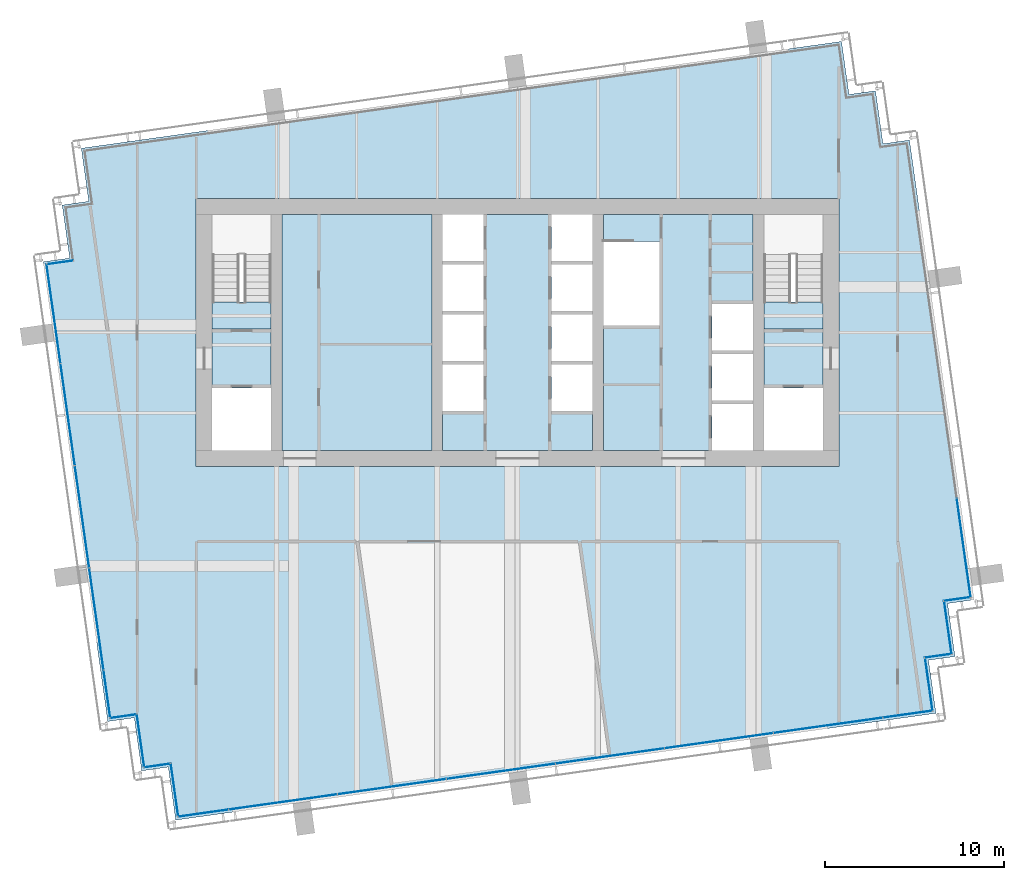
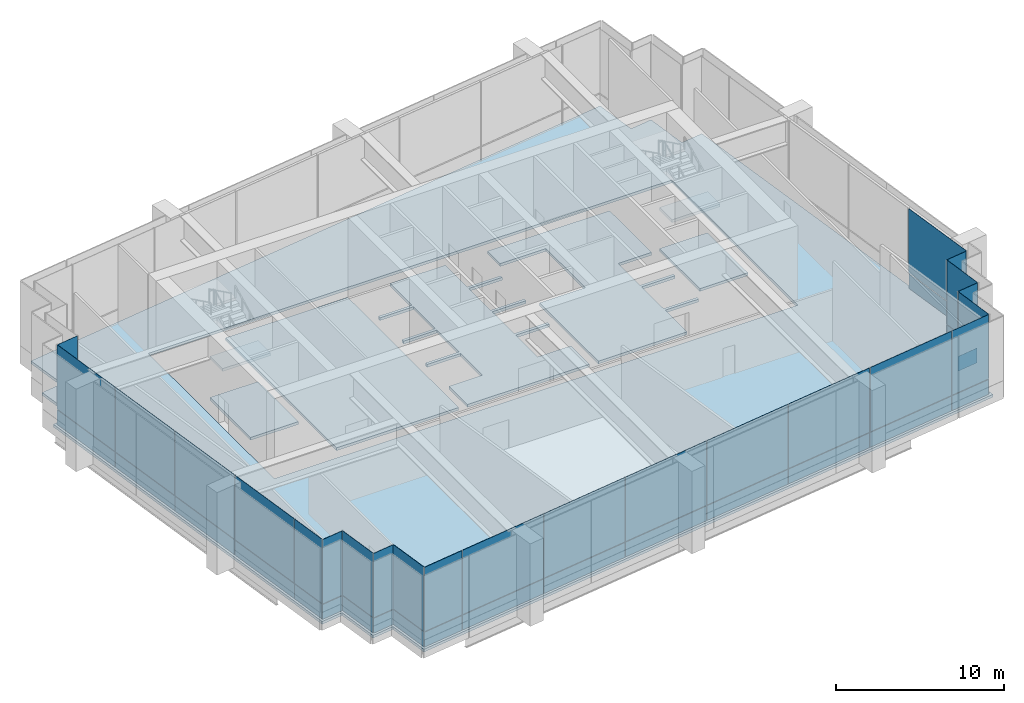
# One storey, part 17 of 25: 46 plates, 8 slabs, 16 elements without a shape of their own.
"""IFC4 building model written with IfcOpenShell, lengths in metres."""

from ifc_helpers import new_model, si_unit, direction, frame, origin, origin_2d, place, context, subcontext, project, spatial, polyline, rectangle, outline, extrude, material, layer, layer_set, type_object, element, aggregate, save


model = new_model("IFC4")

# Units and contexts
model_context = context("Model", 3, precision=1e-05, world=origin(), true_north=direction((0.0, 1.0)))
body_context = subcontext(model_context, "Body", "Model", "MODEL_VIEW")
ifc_project = project(units=[si_unit("LENGTHUNIT", "METRE"), si_unit("AREAUNIT", "SQUARE_METRE"), si_unit("VOLUMEUNIT", "CUBIC_METRE"), si_unit("PLANEANGLEUNIT", "RADIAN"), si_unit("MASSUNIT", "GRAM", prefix="KILO")], contexts=[model_context])

# Site, building, storey
site_placement = place(None, origin())
site = spatial("IfcSite", under=ifc_project, at=site_placement, CompositionType="ELEMENT")
building_placement = place(site_placement, origin())
building = spatial("IfcBuilding", under=site, at=building_placement, Name="Rattan Terrace Tower", CompositionType="ELEMENT")
storey_placement = place(building_placement, frame((0.0, 0.0, 286.300048828125)))
storey = spatial("IfcBuildingStorey", under=building, at=storey_placement, Name="L66", CompositionType="ELEMENT", Elevation=286.300048828125)

# Stair, slab
ifc_material_1 = material(Name="Concrete C40/50", Category="concrete")
stair_type = type_object("IfcStairType", Name="Core exit stair 1500", PredefinedType="HALF_TURN_STAIR", material=ifc_material_1)
stair_1_placement = place(storey_placement, origin())
stair_1 = element("IfcStair", 1, at=stair_1_placement, inside=storey, type_object=stair_type, Name="L66 exit stair 1", PredefinedType="HALF_TURN_STAIR")
ifc_material_2 = material(Name="Concrete C40/50", Category="concrete")
ifc_layer_1 = layer(ifc_material_2, 0.199951171875)
ifc_layer_set_1 = layer_set([ifc_layer_1], Name="Core exit stair landing")
slab_type_1 = type_object("IfcSlabType", Name="Core exit stair landing", PredefinedType="LANDING", material=ifc_layer_set_1)
slab_1_placement = place(storey_placement, frame((0.0, 0.0, 2.800048828125)))
slab_1 = element("IfcSlab", 2, at=slab_1_placement, type_object=slab_type_1, Name="S1 landing 2", PredefinedType="LANDING", context=body_context, shape_type="SweptSolid", body=[
    extrude(outline(polyline([(-13.800048828125, 0.199951171875), (-13.800048828125, 1.699951171875), (-17.10009765625, 1.699951171875), (-17.10009765625, 0.199951171875), (-13.800048828125, 0.199951171875)])), origin(), (0.0, 0.0, 1.0), 0.199951171875),
])
aggregate(stair_1, [slab_1])

stair_2_placement = place(storey_placement, origin())
stair_2 = element("IfcStair", 3, at=stair_2_placement, inside=storey, type_object=stair_type, Name="L66 exit stair 2", PredefinedType="HALF_TURN_STAIR")
slab_2_placement = place(storey_placement, frame((0.0, 0.0, 2.800048828125)))
slab_2 = element("IfcSlab", 4, at=slab_2_placement, type_object=slab_type_1, Name="S2 landing 2", PredefinedType="LANDING", context=body_context, shape_type="SweptSolid", body=[
    extrude(outline(polyline([(17.10009765625, 0.199951171875), (17.10009765625, 1.699951171875), (13.800048828125, 1.699951171875), (13.800048828125, 0.199951171875), (17.10009765625, 0.199951171875)])), origin(), (0.0, 0.0, 1.0), 0.199951171875),
])
aggregate(stair_2, [slab_2])

# Slabs
ifc_material_3 = material(Name="Concrete C35/45", Category="concrete")
ifc_layer_2 = layer(ifc_material_3, 0.199951171875)
ifc_layer_set_2 = layer_set([ifc_layer_2], Name="Frame composite floor slab 200")
slab_type_2 = type_object("IfcSlabType", Name="Frame composite floor slab 200", PredefinedType="FLOOR", material=ifc_layer_set_2)
slab_3_placement = place(storey_placement, frame((0.0, 0.0, -0.199951171875)))
element("IfcSlab", 5, at=slab_3_placement, inside=storey, type_object=slab_type_2, Name="Floor slab", PredefinedType="FLOOR", context=body_context, shape_type="SweptSolid", body=[
    extrude(outline(polyline([(-16.176025390625, -26.889892578125), (20.464111328125, -21.739990234375), (23.43505859375, -21.322998046875), (23.01806640625, -18.35205078125), (24.5029296875, -18.14306640625), (24.0849609375, -15.173095703125), (25.571044921875, -14.964111328125), (21.951904296875, 10.782958984375), (20.467041015625, 10.573974609375), (20.049072265625, 13.544921875), (18.56396484375, 13.3369140625), (18.14599609375, 16.306884765625), (15.176025390625, 15.889892578125), (-21.464111328125, 10.739990234375), (-24.43505859375, 10.322998046875), (-24.01806640625, 7.35205078125), (-25.5029296875, 7.14306640625), (-25.0849609375, 4.173095703125), (-26.571044921875, 3.964111328125), (-22.951904296875, -21.782958984375), (-21.467041015625, -21.573974609375), (-21.049072265625, -24.544921875), (-19.56396484375, -24.3369140625), (-19.14599609375, -27.306884765625), (-16.176025390625, -26.889892578125)]), holes=[polyline([(-18.0, -7.5), (18.0, -7.5), (18.0, -6.60009765625), (18.0, 6.60009765625), (18.0, 7.5), (-18.0, 7.5), (-18.0, 6.60009765625), (-18.0, -6.60009765625), (-18.0, -7.5)])]), origin(), (0.0, 0.0, 1.0), 0.199951171875),
])
slab_4_placement = place(storey_placement, frame((0.0, 0.0, -0.199951171875)))
element("IfcSlab", 6, at=slab_4_placement, inside=storey, type_object=slab_type_2, Name="Floor slab", PredefinedType="FLOOR", context=body_context, shape_type="SweptSolid", body=[
    extrude(outline(polyline([(13.199951171875, 6.60009765625), (4.800048828125, 6.60009765625), (4.800048828125, 5.090087890625), (7.949951171875, 5.090087890625), (7.949951171875, 0.39990234375), (4.800048828125, 0.39990234375), (4.800048828125, -6.60009765625), (10.89990234375, -6.60009765625), (10.89990234375, -4.0), (13.199951171875, -4.0), (13.199951171875, -3.800048828125), (10.89990234375, -3.800048828125), (10.89990234375, -1.199951171875), (13.199951171875, -1.199951171875), (13.199951171875, -1.0), (10.89990234375, -1.0), (10.89990234375, 1.60009765625), (13.199951171875, 1.60009765625), (13.199951171875, 6.60009765625)])), origin(), (0.0, 0.0, 1.0), 0.199951171875),
])
slab_5_placement = place(storey_placement, frame((0.0, 0.0, -0.199951171875)))
element("IfcSlab", 7, at=slab_5_placement, inside=storey, type_object=slab_type_2, Name="Floor slab", PredefinedType="FLOOR", context=body_context, shape_type="SweptSolid", body=[
    extrude(outline(polyline([(1.89990234375, 6.60009765625), (-1.89990234375, 6.60009765625), (-1.89990234375, 4.0), (-4.199951171875, 4.0), (-4.199951171875, 3.800048828125), (-1.89990234375, 3.800048828125), (-1.89990234375, 1.199951171875), (-4.199951171875, 1.199951171875), (-4.199951171875, 1.0), (-1.89990234375, 1.0), (-1.89990234375, -1.60009765625), (-4.199951171875, -1.60009765625), (-4.199951171875, -1.800048828125), (-1.89990234375, -1.800048828125), (-1.89990234375, -4.39990234375), (-4.199951171875, -4.39990234375), (-4.199951171875, -6.60009765625), (4.199951171875, -6.60009765625), (4.199951171875, -4.39990234375), (1.89990234375, -4.39990234375), (1.89990234375, -1.800048828125), (4.199951171875, -1.800048828125), (4.199951171875, -1.60009765625), (1.89990234375, -1.60009765625), (1.89990234375, 1.0), (4.199951171875, 1.0), (4.199951171875, 1.199951171875), (1.89990234375, 1.199951171875), (1.89990234375, 3.800048828125), (4.199951171875, 3.800048828125), (4.199951171875, 4.0), (1.89990234375, 4.0), (1.89990234375, 6.60009765625)])), origin(), (0.0, 0.0, 1.0), 0.199951171875),
])
slab_6_placement = place(storey_placement, frame((0.0, 0.0, -0.199951171875)))
element("IfcSlab", 8, at=slab_6_placement, inside=storey, type_object=slab_type_2, Name="Floor slab", PredefinedType="FLOOR", context=body_context, shape_type="SweptSolid", body=[
    extrude(outline(polyline([(-17.10009765625, -3.10009765625), (-13.800048828125, -3.10009765625), (-13.800048828125, 1.7099609375), (-17.10009765625, 1.7099609375), (-17.10009765625, -3.10009765625)])), origin(), (0.0, 0.0, 1.0), 0.199951171875),
])
slab_7_placement = place(storey_placement, frame((0.0, 0.0, -0.199951171875)))
element("IfcSlab", 9, at=slab_7_placement, inside=storey, type_object=slab_type_2, Name="Floor slab", PredefinedType="FLOOR", context=body_context, shape_type="SweptSolid", body=[
    extrude(outline(polyline([(-4.800048828125, -6.60009765625), (-4.800048828125, 6.60009765625), (-13.199951171875, 6.60009765625), (-13.199951171875, -6.60009765625), (-4.800048828125, -6.60009765625)])), origin(), (0.0, 0.0, 1.0), 0.199951171875),
])
slab_8_placement = place(storey_placement, frame((0.0, 0.0, -0.199951171875)))
element("IfcSlab", 10, at=slab_8_placement, inside=storey, type_object=slab_type_2, Name="Floor slab", PredefinedType="FLOOR", context=body_context, shape_type="SweptSolid", body=[
    extrude(outline(polyline([(13.800048828125, -3.10009765625), (17.10009765625, -3.10009765625), (17.10009765625, 1.7099609375), (13.800048828125, 1.7099609375), (13.800048828125, -3.10009765625)])), origin(), (0.0, 0.0, 1.0), 0.199951171875),
])

# Curtain wall, plate
ifc_material_4 = material(Name="Aluminium and structural silicone glass", Category="aluminium")
ifc_layer_3 = layer(ifc_material_4, 0.10009765625)
ifc_layer_set_3 = layer_set([ifc_layer_3], Name="Observation Structural Silicone Curtain Wall")
curtain_wall_type = type_object("IfcCurtainWallType", Name="Observation Structural Silicone Curtain Wall", PredefinedType="NOTDEFINED", material=ifc_layer_set_3)
curtain_wall_1_placement = place(storey_placement, origin())
curtain_wall_1 = element("IfcCurtainWall", 11, at=curtain_wall_1_placement, inside=storey, type_object=curtain_wall_type, Name="Observation curtain wall L66-1", PredefinedType="NOTDEFINED")
ifc_material_5 = material(Name="Laminated toughened glass", Category="glass")
ifc_layer_4 = layer(ifc_material_5, 0.011962890625)
ifc_layer_set_4 = layer_set([ifc_layer_4], Name="Observation CW Guard Glass Panel")
plate_type_1 = type_object("IfcPlateType", Name="Observation CW Guard Glass Panel", PredefinedType="CURTAIN_PANEL", material=ifc_layer_set_4)
plate_1_placement = place(storey_placement, frame((21.836669921875, -21.375732421875, 0.0), z_axis=(0.0, 0.0, 1.0), x_axis=(0.990293172258, 0.138994363123, 0.0)))
plate_1 = element("IfcPlate", 12, at=plate_1_placement, type_object=plate_type_1, Name="Panel cwl-L66-001.1.1", PredefinedType="CURTAIN_PANEL", context=body_context, shape_type="SweptSolid", body=[
    extrude(rectangle(XDim=2.740234375, YDim=0.011962890625, at=origin_2d()), origin(), (0.0, 0.0, 1.0), 1.074951171875),
])

curtain_wall_2_placement = place(storey_placement, origin())
curtain_wall_2 = element("IfcCurtainWall", 13, at=curtain_wall_2_placement, inside=storey, type_object=curtain_wall_type, Name="Observation curtain wall L66-2", PredefinedType="NOTDEFINED")
plate_2_placement = place(storey_placement, frame((23.03857421875, -19.722412109375, 0.0), z_axis=(0.0, 0.0, 1.0), x_axis=(-0.138994363123, 0.990293172258, 0.0)))
plate_2 = element("IfcPlate", 14, at=plate_2_placement, type_object=plate_type_1, Name="Panel cwl-L66-002.1.1", PredefinedType="CURTAIN_PANEL", context=body_context, shape_type="SweptSolid", body=[
    extrude(rectangle(XDim=2.9599609375, YDim=0.011962890625, at=origin_2d()), origin(), (0.0, 0.0, 1.0), 1.074951171875),
])

curtain_wall_3_placement = place(storey_placement, origin())
curtain_wall_3 = element("IfcCurtainWall", 15, at=curtain_wall_3_placement, inside=storey, type_object=curtain_wall_type, Name="Observation curtain wall L66-3", PredefinedType="NOTDEFINED")
plate_3_placement = place(storey_placement, frame((23.538818359375, -18.10693359375, 0.0), z_axis=(0.0, 0.0, 1.0), x_axis=(0.990240767803, 0.139367219175, 0.0)))
plate_3 = element("IfcPlate", 16, at=plate_3_placement, type_object=plate_type_1, Name="Panel cwl-L66-003.1.1", PredefinedType="CURTAIN_PANEL", context=body_context, shape_type="SweptSolid", body=[
    extrude(rectangle(XDim=1.45947265625, YDim=0.011962890625, at=origin_2d()), origin(), (0.0, 0.0, 1.0), 1.074951171875),
])

curtain_wall_4_placement = place(storey_placement, origin())
curtain_wall_4 = element("IfcCurtainWall", 17, at=curtain_wall_4_placement, inside=storey, type_object=curtain_wall_type, Name="Observation curtain wall L66-4", PredefinedType="NOTDEFINED")
plate_4_placement = place(storey_placement, frame((24.106201171875, -16.54296875, 0.0), z_axis=(0.0, 0.0, 1.0), x_axis=(-0.139367219175, 0.990240767803, 0.0)))
plate_4 = element("IfcPlate", 18, at=plate_4_placement, type_object=plate_type_1, Name="Panel cwl-L66-004.1.1", PredefinedType="CURTAIN_PANEL", context=body_context, shape_type="SweptSolid", body=[
    extrude(rectangle(XDim=2.959228515625, YDim=0.011962890625, at=origin_2d()), origin(), (0.0, 0.0, 1.0), 1.074951171875),
])

curtain_wall_5_placement = place(storey_placement, origin())
curtain_wall_5 = element("IfcCurtainWall", 19, at=curtain_wall_5_placement, inside=storey, type_object=curtain_wall_type, Name="Observation curtain wall L66-5", PredefinedType="NOTDEFINED")
plate_5_placement = place(storey_placement, frame((24.606201171875, -14.927978515625, 0.0), z_axis=(0.0, 0.0, 1.0), x_axis=(0.99025370695, 0.139275252184, 0.0)))
plate_5 = element("IfcPlate", 20, at=plate_5_placement, type_object=plate_type_1, Name="Panel cwl-L66-005.1.1", PredefinedType="CURTAIN_PANEL", context=body_context, shape_type="SweptSolid", body=[
    extrude(rectangle(XDim=1.460693359375, YDim=0.011962890625, at=origin_2d()), origin(), (0.0, 0.0, 1.0), 1.074951171875),
])

curtain_wall_6_placement = place(storey_placement, origin())
curtain_wall_6 = element("IfcCurtainWall", 21, at=curtain_wall_6_placement, inside=storey, type_object=curtain_wall_type, Name="Observation curtain wall L66-6", PredefinedType="NOTDEFINED")
plate_6_placement = place(storey_placement, frame((24.99072265625, -12.057373046875, 0.0), z_axis=(0.0, 0.0, 1.0), x_axis=(-0.139191775431, 0.990265444036, 0.0)))
plate_6 = element("IfcPlate", 22, at=plate_6_placement, type_object=plate_type_1, Name="Panel cwl-L66-006.1.1", PredefinedType="CURTAIN_PANEL", context=body_context, shape_type="SweptSolid", body=[
    extrude(rectangle(XDim=5.597900390625, YDim=0.011962890625, at=origin_2d()), origin(), (0.0, 0.0, 1.0), 1.074951171875),
])

curtain_wall_7_placement = place(storey_placement, origin())
curtain_wall_7 = element("IfcCurtainWall", 23, at=curtain_wall_7_placement, inside=storey, type_object=curtain_wall_type, Name="Observation curtain wall L66-17", PredefinedType="NOTDEFINED")
plate_7_placement = place(storey_placement, frame((-25.606201171875, 3.927978515625, 0.0), z_axis=(0.0, 0.0, 1.0), x_axis=(-0.99025370695, -0.139275252184, 0.0)))
plate_7 = element("IfcPlate", 24, at=plate_7_placement, type_object=plate_type_1, Name="Panel cwl-L66-017.1.1", PredefinedType="CURTAIN_PANEL", context=body_context, shape_type="SweptSolid", body=[
    extrude(rectangle(XDim=1.460693359375, YDim=0.011962890625, at=origin_2d()), origin(), (0.0, 0.0, 1.0), 1.074951171875),
])

# Curtain wall, plates
curtain_wall_8_placement = place(storey_placement, origin())
curtain_wall_8 = element("IfcCurtainWall", 25, at=curtain_wall_8_placement, inside=storey, type_object=curtain_wall_type, Name="Observation curtain wall L66-18", PredefinedType="NOTDEFINED")
plate_8_placement = place(storey_placement, frame((-25.99072265625, 1.057373046875, 0.0), z_axis=(0.0, 0.0, 1.0), x_axis=(0.139191775431, -0.990265444036, 0.0)))
plate_8 = element("IfcPlate", 26, at=plate_8_placement, type_object=plate_type_1, Name="Panel cwl-L66-018.1.1", PredefinedType="CURTAIN_PANEL", context=body_context, shape_type="SweptSolid", body=[
    extrude(rectangle(XDim=5.597900390625, YDim=0.011962890625, at=origin_2d()), origin(), (0.0, 0.0, 1.0), 1.074951171875),
])
plate_9_placement = place(storey_placement, frame((-25.1962890625, -4.594970703125, 0.0), z_axis=(0.0, 0.0, 1.0), x_axis=(0.139191775431, -0.990265444036, 0.0)))
plate_9 = element("IfcPlate", 27, at=plate_9_placement, type_object=plate_type_1, Name="Panel cwl-L66-018.2.1", PredefinedType="CURTAIN_PANEL", context=body_context, shape_type="SweptSolid", body=[
    extrude(rectangle(XDim=5.738037109375, YDim=0.011962890625, at=origin_2d()), origin(), (0.0, 0.0, 1.0), 1.074951171875),
])
plate_10_placement = place(storey_placement, frame((-24.39208984375, -10.316650390625, 0.0), z_axis=(0.0, 0.0, 1.0), x_axis=(0.139191775431, -0.990265444036, 0.0)))
plate_10 = element("IfcPlate", 28, at=plate_10_placement, type_object=plate_type_1, Name="Panel cwl-L66-018.3.1", PredefinedType="CURTAIN_PANEL", context=body_context, shape_type="SweptSolid", body=[
    extrude(rectangle(XDim=5.738037109375, YDim=0.011962890625, at=origin_2d()), origin(), (0.0, 0.0, 1.0), 1.074951171875),
])
plate_11_placement = place(storey_placement, frame((-23.587890625, -16.03857421875, 0.0), z_axis=(0.0, 0.0, 1.0), x_axis=(0.139191775431, -0.990265444036, 0.0)))
plate_11 = element("IfcPlate", 29, at=plate_11_placement, type_object=plate_type_1, Name="Panel cwl-L66-018.4.1", PredefinedType="CURTAIN_PANEL", context=body_context, shape_type="SweptSolid", body=[
    extrude(rectangle(XDim=5.738037109375, YDim=0.011962890625, at=origin_2d()), origin(), (0.0, 0.0, 1.0), 1.074951171875),
])
plate_12_placement = place(storey_placement, frame((-22.99853515625, -20.230224609375, 0.0), z_axis=(0.0, 0.0, 1.0), x_axis=(0.139191775431, -0.990265444036, 0.0)))
plate_12 = element("IfcPlate", 30, at=plate_12_placement, type_object=plate_type_1, Name="Panel cwl-L66-018.5.1", PredefinedType="CURTAIN_PANEL", context=body_context, shape_type="SweptSolid", body=[
    extrude(rectangle(XDim=2.64794921875, YDim=0.011962890625, at=origin_2d()), origin(), (0.0, 0.0, 1.0), 1.074951171875),
])

# Curtain wall, plate
curtain_wall_9_placement = place(storey_placement, origin())
curtain_wall_9 = element("IfcCurtainWall", 31, at=curtain_wall_9_placement, inside=storey, type_object=curtain_wall_type, Name="Observation curtain wall L66-19", PredefinedType="NOTDEFINED")
plate_13_placement = place(storey_placement, frame((-22.094482421875, -21.49072265625, 0.0), z_axis=(0.0, 0.0, 1.0), x_axis=(0.990240767803, 0.139367219175, 0.0)))
plate_13 = element("IfcPlate", 32, at=plate_13_placement, type_object=plate_type_1, Name="Panel cwl-L66-019.1.1", PredefinedType="CURTAIN_PANEL", context=body_context, shape_type="SweptSolid", body=[
    extrude(rectangle(XDim=1.459716796875, YDim=0.011962890625, at=origin_2d()), origin(), (0.0, 0.0, 1.0), 1.074951171875),
])

curtain_wall_10_placement = place(storey_placement, origin())
curtain_wall_10 = element("IfcCurtainWall", 33, at=curtain_wall_10_placement, inside=storey, type_object=curtain_wall_type, Name="Observation curtain wall L66-20", PredefinedType="NOTDEFINED")
plate_14_placement = place(storey_placement, frame((-21.117431640625, -22.837890625, 0.0), z_axis=(0.0, 0.0, 1.0), x_axis=(0.139321220646, -0.990247240581, 0.0)))
plate_14 = element("IfcPlate", 34, at=plate_14_placement, type_object=plate_type_1, Name="Panel cwl-L66-020.1.1", PredefinedType="CURTAIN_PANEL", context=body_context, shape_type="SweptSolid", body=[
    extrude(rectangle(XDim=2.96044921875, YDim=0.011962890625, at=origin_2d()), origin(), (0.0, 0.0, 1.0), 1.074951171875),
])

curtain_wall_11_placement = place(storey_placement, origin())
curtain_wall_11 = element("IfcCurtainWall", 35, at=curtain_wall_11_placement, inside=storey, type_object=curtain_wall_type, Name="Observation curtain wall L66-21", PredefinedType="NOTDEFINED")
plate_15_placement = place(storey_placement, frame((-20.191650390625, -24.253173828125, 0.0), z_axis=(0.0, 0.0, 1.0), x_axis=(0.990332587523, 0.138713251317, 0.0)))
plate_15 = element("IfcPlate", 36, at=plate_15_placement, type_object=plate_type_1, Name="Panel cwl-L66-021.1.1", PredefinedType="CURTAIN_PANEL", context=body_context, shape_type="SweptSolid", body=[
    extrude(rectangle(XDim=1.45947265625, YDim=0.011962890625, at=origin_2d()), origin(), (0.0, 0.0, 1.0), 1.074951171875),
])

curtain_wall_12_placement = place(storey_placement, origin())
curtain_wall_12 = element("IfcCurtainWall", 37, at=curtain_wall_12_placement, inside=storey, type_object=curtain_wall_type, Name="Observation curtain wall L66-22", PredefinedType="NOTDEFINED")
plate_16_placement = place(storey_placement, frame((-19.214599609375, -25.600341796875, 0.0), z_axis=(0.0, 0.0, 1.0), x_axis=(0.139367219175, -0.990240767803, 0.0)))
plate_16 = element("IfcPlate", 38, at=plate_16_placement, type_object=plate_type_1, Name="Panel cwl-L66-022.1.1", PredefinedType="CURTAIN_PANEL", context=body_context, shape_type="SweptSolid", body=[
    extrude(rectangle(XDim=2.959228515625, YDim=0.011962890625, at=origin_2d()), origin(), (0.0, 0.0, 1.0), 1.074951171875),
])

curtain_wall_13_placement = place(storey_placement, origin())
curtain_wall_13 = element("IfcCurtainWall", 39, at=curtain_wall_13_placement, inside=storey, type_object=curtain_wall_type, Name="Observation curtain wall L66-23", PredefinedType="NOTDEFINED")
plate_17_placement = place(storey_placement, frame((-17.60546875, -26.9189453125, 0.0), z_axis=(0.0, 0.0, 1.0), x_axis=(0.990286729519, 0.139040257974, 0.0)))
plate_17 = element("IfcPlate", 40, at=plate_17_placement, type_object=plate_type_1, Name="Panel cwl-L66-023.1.1", PredefinedType="CURTAIN_PANEL", context=body_context, shape_type="SweptSolid", body=[
    extrude(rectangle(XDim=2.839111328125, YDim=0.011962890625, at=origin_2d()), origin(), (0.0, 0.0, 1.0), 1.074951171875),
])

# Curtain wall, plates
curtain_wall_14_placement = place(storey_placement, origin())
curtain_wall_14 = element("IfcCurtainWall", 41, at=curtain_wall_14_placement, inside=storey, type_object=curtain_wall_type, Name="Observation curtain wall L66-24", PredefinedType="NOTDEFINED")
plate_18_placement = place(storey_placement, frame((-13.13671875, -26.291259765625, 0.0), z_axis=(0.0, 0.0, 1.0), x_axis=(0.990265894013, 0.139188574079, 0.0)))
plate_18 = element("IfcPlate", 42, at=plate_18_placement, type_object=plate_type_1, Name="Panel cwl-L66-024.1.1", PredefinedType="CURTAIN_PANEL", context=body_context, shape_type="SweptSolid", body=[
    extrude(rectangle(XDim=6.10595703125, YDim=0.011962890625, at=origin_2d()), origin(), (0.0, 0.0, 1.0), 1.074951171875),
])
plate_19_placement = place(storey_placement, frame((-7.040771484375, -25.434326171875, 0.0), z_axis=(0.0, 0.0, 1.0), x_axis=(0.990265894013, 0.139188574079, 0.0)))
plate_19 = element("IfcPlate", 43, at=plate_19_placement, type_object=plate_type_1, Name="Panel cwl-L66-024.2.1", PredefinedType="CURTAIN_PANEL", context=body_context, shape_type="SweptSolid", body=[
    extrude(rectangle(XDim=6.1259765625, YDim=0.011962890625, at=origin_2d()), origin(), (0.0, 0.0, 1.0), 1.074951171875),
])
plate_20_placement = place(storey_placement, frame((-0.934814453125, -24.576171875, 0.0), z_axis=(0.0, 0.0, 1.0), x_axis=(0.990265894013, 0.139188574079, 0.0)))
plate_20 = element("IfcPlate", 44, at=plate_20_placement, type_object=plate_type_1, Name="Panel cwl-L66-024.3.1", PredefinedType="CURTAIN_PANEL", context=body_context, shape_type="SweptSolid", body=[
    extrude(rectangle(XDim=6.1259765625, YDim=0.011962890625, at=origin_2d()), origin(), (0.0, 0.0, 1.0), 1.074951171875),
])
plate_21_placement = place(storey_placement, frame((5.17138671875, -23.7177734375, 0.0), z_axis=(0.0, 0.0, 1.0), x_axis=(0.990265894013, 0.139188574079, 0.0)))
plate_21 = element("IfcPlate", 45, at=plate_21_placement, type_object=plate_type_1, Name="Panel cwl-L66-024.4.1", PredefinedType="CURTAIN_PANEL", context=body_context, shape_type="SweptSolid", body=[
    extrude(rectangle(XDim=6.1259765625, YDim=0.011962890625, at=origin_2d()), origin(), (0.0, 0.0, 1.0), 1.074951171875),
])
plate_22_placement = place(storey_placement, frame((11.27734375, -22.859619140625, 0.0), z_axis=(0.0, 0.0, 1.0), x_axis=(0.990265894013, 0.139188574079, 0.0)))
plate_22 = element("IfcPlate", 46, at=plate_22_placement, type_object=plate_type_1, Name="Panel cwl-L66-024.5.1", PredefinedType="CURTAIN_PANEL", context=body_context, shape_type="SweptSolid", body=[
    extrude(rectangle(XDim=6.1259765625, YDim=0.011962890625, at=origin_2d()), origin(), (0.0, 0.0, 1.0), 1.074951171875),
])
plate_23_placement = place(storey_placement, frame((17.395263671875, -21.999755859375, 0.0), z_axis=(0.0, 0.0, 1.0), x_axis=(0.990265894013, 0.139188574079, 0.0)))
plate_23 = element("IfcPlate", 47, at=plate_23_placement, type_object=plate_type_1, Name="Panel cwl-L66-024.6.1", PredefinedType="CURTAIN_PANEL", context=body_context, shape_type="SweptSolid", body=[
    extrude(rectangle(XDim=6.150146484375, YDim=0.011962890625, at=origin_2d()), origin(), (0.0, 0.0, 1.0), 1.074951171875),
])

# Plate
ifc_material_6 = material(Name="Triple laminated low-iron glass", Category="glass")
ifc_layer_5 = layer(ifc_material_6, 0.02197265625)
ifc_layer_set_5 = layer_set([ifc_layer_5], Name="Observation CW Vision Panel")
plate_type_2 = type_object("IfcPlateType", Name="Observation CW Vision Panel", PredefinedType="CURTAIN_PANEL", material=ifc_layer_set_5)
plate_24_placement = place(storey_placement, frame((21.836669921875, -21.375732421875, 1.125), z_axis=(0.0, 0.0, 1.0), x_axis=(0.990293172258, 0.138994363123, 0.0)))
plate_24 = element("IfcPlate", 48, at=plate_24_placement, type_object=plate_type_2, Name="Panel cwl-L66-001.1.2", PredefinedType="CURTAIN_PANEL", context=body_context, shape_type="SweptSolid", body=[
    extrude(rectangle(XDim=2.740234375, YDim=0.02197265625, at=origin_2d()), origin(), (0.0, 0.0, 1.0), 4.675048828125),
])

aggregate(curtain_wall_1, [plate_1, plate_24])

plate_25_placement = place(storey_placement, frame((23.03857421875, -19.722412109375, 1.125), z_axis=(0.0, 0.0, 1.0), x_axis=(-0.138994363123, 0.990293172258, 0.0)))
plate_25 = element("IfcPlate", 49, at=plate_25_placement, type_object=plate_type_2, Name="Panel cwl-L66-002.1.2", PredefinedType="CURTAIN_PANEL", context=body_context, shape_type="SweptSolid", body=[
    extrude(rectangle(XDim=2.9599609375, YDim=0.02197265625, at=origin_2d()), origin(), (0.0, 0.0, 1.0), 4.675048828125),
])

aggregate(curtain_wall_2, [plate_2, plate_25])

plate_26_placement = place(storey_placement, frame((23.538818359375, -18.10693359375, 1.125), z_axis=(0.0, 0.0, 1.0), x_axis=(0.990240767803, 0.139367219175, 0.0)))
plate_26 = element("IfcPlate", 50, at=plate_26_placement, type_object=plate_type_2, Name="Panel cwl-L66-003.1.2", PredefinedType="CURTAIN_PANEL", context=body_context, shape_type="SweptSolid", body=[
    extrude(rectangle(XDim=1.45947265625, YDim=0.02197265625, at=origin_2d()), origin(), (0.0, 0.0, 1.0), 4.675048828125),
])

aggregate(curtain_wall_3, [plate_3, plate_26])

plate_27_placement = place(storey_placement, frame((24.106201171875, -16.54296875, 1.125), z_axis=(0.0, 0.0, 1.0), x_axis=(-0.139367219175, 0.990240767803, 0.0)))
plate_27 = element("IfcPlate", 51, at=plate_27_placement, type_object=plate_type_2, Name="Panel cwl-L66-004.1.2", PredefinedType="CURTAIN_PANEL", context=body_context, shape_type="SweptSolid", body=[
    extrude(rectangle(XDim=2.959228515625, YDim=0.02197265625, at=origin_2d()), origin(), (0.0, 0.0, 1.0), 4.675048828125),
])

aggregate(curtain_wall_4, [plate_4, plate_27])

plate_28_placement = place(storey_placement, frame((24.606201171875, -14.927978515625, 1.125), z_axis=(0.0, 0.0, 1.0), x_axis=(0.99025370695, 0.139275252184, 0.0)))
plate_28 = element("IfcPlate", 52, at=plate_28_placement, type_object=plate_type_2, Name="Panel cwl-L66-005.1.2", PredefinedType="CURTAIN_PANEL", context=body_context, shape_type="SweptSolid", body=[
    extrude(rectangle(XDim=1.460693359375, YDim=0.02197265625, at=origin_2d()), origin(), (0.0, 0.0, 1.0), 4.675048828125),
])

aggregate(curtain_wall_5, [plate_5, plate_28])

plate_29_placement = place(storey_placement, frame((24.99072265625, -12.057373046875, 1.125), z_axis=(0.0, 0.0, 1.0), x_axis=(-0.139191775431, 0.990265444036, 0.0)))
plate_29 = element("IfcPlate", 53, at=plate_29_placement, type_object=plate_type_2, Name="Panel cwl-L66-006.1.2", PredefinedType="CURTAIN_PANEL", context=body_context, shape_type="SweptSolid", body=[
    extrude(rectangle(XDim=5.597900390625, YDim=0.02197265625, at=origin_2d()), origin(), (0.0, 0.0, 1.0), 4.675048828125),
])

aggregate(curtain_wall_6, [plate_6, plate_29])

plate_30_placement = place(storey_placement, frame((-25.606201171875, 3.927978515625, 1.125), z_axis=(0.0, 0.0, 1.0), x_axis=(-0.99025370695, -0.139275252184, 0.0)))
plate_30 = element("IfcPlate", 54, at=plate_30_placement, type_object=plate_type_2, Name="Panel cwl-L66-017.1.2", PredefinedType="CURTAIN_PANEL", context=body_context, shape_type="SweptSolid", body=[
    extrude(rectangle(XDim=1.460693359375, YDim=0.02197265625, at=origin_2d()), origin(), (0.0, 0.0, 1.0), 4.675048828125),
])

aggregate(curtain_wall_7, [plate_7, plate_30])

plate_31_placement = place(storey_placement, frame((-25.99072265625, 1.057373046875, 1.125), z_axis=(0.0, 0.0, 1.0), x_axis=(0.139191775431, -0.990265444036, 0.0)))
plate_31 = element("IfcPlate", 55, at=plate_31_placement, type_object=plate_type_2, Name="Panel cwl-L66-018.1.2", PredefinedType="CURTAIN_PANEL", context=body_context, shape_type="SweptSolid", body=[
    extrude(rectangle(XDim=5.597900390625, YDim=0.02197265625, at=origin_2d()), origin(), (0.0, 0.0, 1.0), 4.675048828125),
])

plate_32_placement = place(storey_placement, frame((-25.1962890625, -4.594970703125, 1.125), z_axis=(0.0, 0.0, 1.0), x_axis=(0.139191775431, -0.990265444036, 0.0)))
plate_32 = element("IfcPlate", 56, at=plate_32_placement, type_object=plate_type_2, Name="Panel cwl-L66-018.2.2", PredefinedType="CURTAIN_PANEL", context=body_context, shape_type="SweptSolid", body=[
    extrude(rectangle(XDim=5.738037109375, YDim=0.02197265625, at=origin_2d()), origin(), (0.0, 0.0, 1.0), 4.675048828125),
])

plate_33_placement = place(storey_placement, frame((-24.39208984375, -10.316650390625, 1.125), z_axis=(0.0, 0.0, 1.0), x_axis=(0.139191775431, -0.990265444036, 0.0)))
plate_33 = element("IfcPlate", 57, at=plate_33_placement, type_object=plate_type_2, Name="Panel cwl-L66-018.3.2", PredefinedType="CURTAIN_PANEL", context=body_context, shape_type="SweptSolid", body=[
    extrude(rectangle(XDim=5.738037109375, YDim=0.02197265625, at=origin_2d()), origin(), (0.0, 0.0, 1.0), 4.675048828125),
])

plate_34_placement = place(storey_placement, frame((-23.587890625, -16.03857421875, 1.125), z_axis=(0.0, 0.0, 1.0), x_axis=(0.139191775431, -0.990265444036, 0.0)))
plate_34 = element("IfcPlate", 58, at=plate_34_placement, type_object=plate_type_2, Name="Panel cwl-L66-018.4.2", PredefinedType="CURTAIN_PANEL", context=body_context, shape_type="SweptSolid", body=[
    extrude(rectangle(XDim=5.738037109375, YDim=0.02197265625, at=origin_2d()), origin(), (0.0, 0.0, 1.0), 4.675048828125),
])

plate_35_placement = place(storey_placement, frame((-22.99853515625, -20.230224609375, 1.125), z_axis=(0.0, 0.0, 1.0), x_axis=(0.139191775431, -0.990265444036, 0.0)))
plate_35 = element("IfcPlate", 59, at=plate_35_placement, type_object=plate_type_2, Name="Panel cwl-L66-018.5.2", PredefinedType="CURTAIN_PANEL", context=body_context, shape_type="SweptSolid", body=[
    extrude(rectangle(XDim=2.64794921875, YDim=0.02197265625, at=origin_2d()), origin(), (0.0, 0.0, 1.0), 4.675048828125),
])

aggregate(curtain_wall_8, [plate_8, plate_31, plate_9, plate_32, plate_10, plate_33, plate_11, plate_34, plate_12, plate_35])

plate_36_placement = place(storey_placement, frame((-22.094482421875, -21.49072265625, 1.125), z_axis=(0.0, 0.0, 1.0), x_axis=(0.990240767803, 0.139367219175, 0.0)))
plate_36 = element("IfcPlate", 60, at=plate_36_placement, type_object=plate_type_2, Name="Panel cwl-L66-019.1.2", PredefinedType="CURTAIN_PANEL", context=body_context, shape_type="SweptSolid", body=[
    extrude(rectangle(XDim=1.459716796875, YDim=0.02197265625, at=origin_2d()), origin(), (0.0, 0.0, 1.0), 4.675048828125),
])

aggregate(curtain_wall_9, [plate_13, plate_36])

plate_37_placement = place(storey_placement, frame((-21.117431640625, -22.837890625, 1.125), z_axis=(0.0, 0.0, 1.0), x_axis=(0.139321220646, -0.990247240581, 0.0)))
plate_37 = element("IfcPlate", 61, at=plate_37_placement, type_object=plate_type_2, Name="Panel cwl-L66-020.1.2", PredefinedType="CURTAIN_PANEL", context=body_context, shape_type="SweptSolid", body=[
    extrude(rectangle(XDim=2.96044921875, YDim=0.02197265625, at=origin_2d()), origin(), (0.0, 0.0, 1.0), 4.675048828125),
])

aggregate(curtain_wall_10, [plate_14, plate_37])

plate_38_placement = place(storey_placement, frame((-20.191650390625, -24.253173828125, 1.125), z_axis=(0.0, 0.0, 1.0), x_axis=(0.990332587523, 0.138713251317, 0.0)))
plate_38 = element("IfcPlate", 62, at=plate_38_placement, type_object=plate_type_2, Name="Panel cwl-L66-021.1.2", PredefinedType="CURTAIN_PANEL", context=body_context, shape_type="SweptSolid", body=[
    extrude(rectangle(XDim=1.45947265625, YDim=0.02197265625, at=origin_2d()), origin(), (0.0, 0.0, 1.0), 4.675048828125),
])

aggregate(curtain_wall_11, [plate_15, plate_38])

plate_39_placement = place(storey_placement, frame((-19.214599609375, -25.600341796875, 1.125), z_axis=(0.0, 0.0, 1.0), x_axis=(0.139367219175, -0.990240767803, 0.0)))
plate_39 = element("IfcPlate", 63, at=plate_39_placement, type_object=plate_type_2, Name="Panel cwl-L66-022.1.2", PredefinedType="CURTAIN_PANEL", context=body_context, shape_type="SweptSolid", body=[
    extrude(rectangle(XDim=2.959228515625, YDim=0.02197265625, at=origin_2d()), origin(), (0.0, 0.0, 1.0), 4.675048828125),
])

aggregate(curtain_wall_12, [plate_16, plate_39])

plate_40_placement = place(storey_placement, frame((-17.60546875, -26.9189453125, 1.125), z_axis=(0.0, 0.0, 1.0), x_axis=(0.990286729519, 0.139040257974, 0.0)))
plate_40 = element("IfcPlate", 64, at=plate_40_placement, type_object=plate_type_2, Name="Panel cwl-L66-023.1.2", PredefinedType="CURTAIN_PANEL", context=body_context, shape_type="SweptSolid", body=[
    extrude(rectangle(XDim=2.839111328125, YDim=0.02197265625, at=origin_2d()), origin(), (0.0, 0.0, 1.0), 4.675048828125),
])

aggregate(curtain_wall_13, [plate_17, plate_40])

plate_41_placement = place(storey_placement, frame((-13.13671875, -26.291259765625, 1.125), z_axis=(0.0, 0.0, 1.0), x_axis=(0.990265894013, 0.139188574079, 0.0)))
plate_41 = element("IfcPlate", 65, at=plate_41_placement, type_object=plate_type_2, Name="Panel cwl-L66-024.1.2", PredefinedType="CURTAIN_PANEL", context=body_context, shape_type="SweptSolid", body=[
    extrude(rectangle(XDim=6.10595703125, YDim=0.02197265625, at=origin_2d()), origin(), (0.0, 0.0, 1.0), 4.675048828125),
])

plate_42_placement = place(storey_placement, frame((-7.040771484375, -25.434326171875, 1.125), z_axis=(0.0, 0.0, 1.0), x_axis=(0.990265894013, 0.139188574079, 0.0)))
plate_42 = element("IfcPlate", 66, at=plate_42_placement, type_object=plate_type_2, Name="Panel cwl-L66-024.2.2", PredefinedType="CURTAIN_PANEL", context=body_context, shape_type="SweptSolid", body=[
    extrude(rectangle(XDim=6.1259765625, YDim=0.02197265625, at=origin_2d()), origin(), (0.0, 0.0, 1.0), 4.675048828125),
])

plate_43_placement = place(storey_placement, frame((-0.934814453125, -24.576171875, 1.125), z_axis=(0.0, 0.0, 1.0), x_axis=(0.990265894013, 0.139188574079, 0.0)))
plate_43 = element("IfcPlate", 67, at=plate_43_placement, type_object=plate_type_2, Name="Panel cwl-L66-024.3.2", PredefinedType="CURTAIN_PANEL", context=body_context, shape_type="SweptSolid", body=[
    extrude(rectangle(XDim=6.1259765625, YDim=0.02197265625, at=origin_2d()), origin(), (0.0, 0.0, 1.0), 4.675048828125),
])

plate_44_placement = place(storey_placement, frame((5.17138671875, -23.7177734375, 1.125), z_axis=(0.0, 0.0, 1.0), x_axis=(0.990265894013, 0.139188574079, 0.0)))
plate_44 = element("IfcPlate", 68, at=plate_44_placement, type_object=plate_type_2, Name="Panel cwl-L66-024.4.2", PredefinedType="CURTAIN_PANEL", context=body_context, shape_type="SweptSolid", body=[
    extrude(rectangle(XDim=6.1259765625, YDim=0.02197265625, at=origin_2d()), origin(), (0.0, 0.0, 1.0), 4.675048828125),
])

plate_45_placement = place(storey_placement, frame((11.27734375, -22.859619140625, 1.125), z_axis=(0.0, 0.0, 1.0), x_axis=(0.990265894013, 0.139188574079, 0.0)))
plate_45 = element("IfcPlate", 69, at=plate_45_placement, type_object=plate_type_2, Name="Panel cwl-L66-024.5.2", PredefinedType="CURTAIN_PANEL", context=body_context, shape_type="SweptSolid", body=[
    extrude(rectangle(XDim=6.1259765625, YDim=0.02197265625, at=origin_2d()), origin(), (0.0, 0.0, 1.0), 4.675048828125),
])

plate_46_placement = place(storey_placement, frame((17.395263671875, -21.999755859375, 1.125), z_axis=(0.0, 0.0, 1.0), x_axis=(0.990265894013, 0.139188574079, 0.0)))
plate_46 = element("IfcPlate", 70, at=plate_46_placement, type_object=plate_type_2, Name="Panel cwl-L66-024.6.2", PredefinedType="CURTAIN_PANEL", context=body_context, shape_type="SweptSolid", body=[
    extrude(rectangle(XDim=6.150146484375, YDim=0.02197265625, at=origin_2d()), origin(), (0.0, 0.0, 1.0), 4.675048828125),
])

aggregate(curtain_wall_14, [plate_18, plate_41, plate_19, plate_42, plate_20, plate_43, plate_21, plate_44, plate_22, plate_45, plate_23, plate_46])

save(model, "model.ifc")
